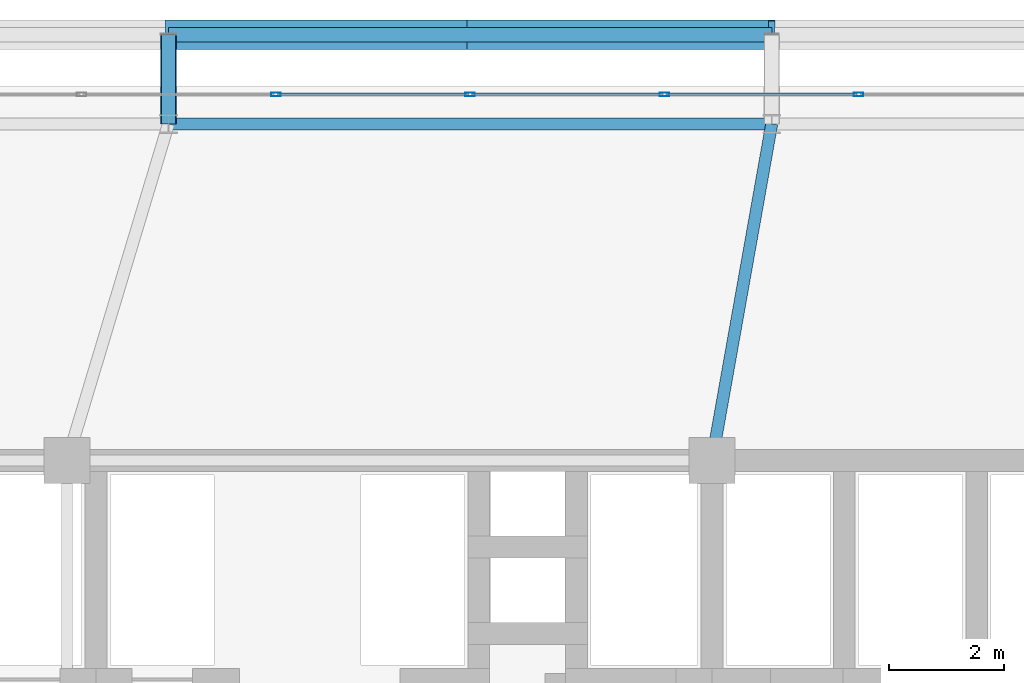
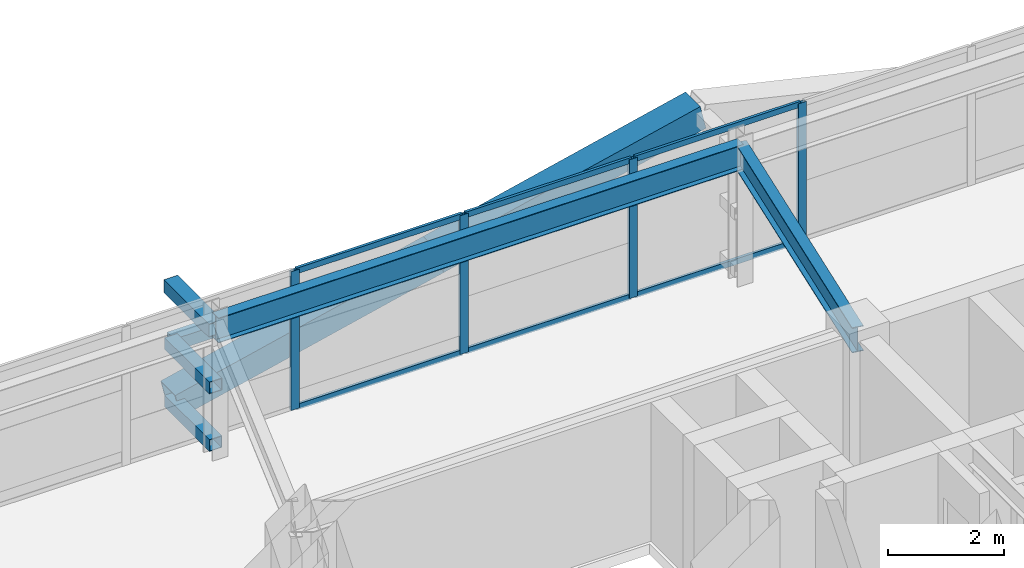
# One storey, part 37 of 59: 16 members, 2 beams, 1 element without a shape of its own.
"""IFC4 building model written with IfcOpenShell, lengths in metres."""

from ifc_helpers import new_model, si_unit, direction, frame, origin, origin_2d, place, context, subcontext, project, spatial, hollow_rectangle, i_section, extrude, source, transform, mapped, material, layer, layer_set, material_profile, profile_set, type_object, element, aggregate, save


model = new_model("IFC4")

# Units and contexts
model_context = context("Model", 3, precision=1e-05, world=origin(), true_north=direction((0.0, 1.0)))
body_context = subcontext(model_context, "Body", "Model", "MODEL_VIEW")
ifc_project = project(units=[si_unit("LENGTHUNIT", "METRE"), si_unit("AREAUNIT", "SQUARE_METRE"), si_unit("VOLUMEUNIT", "CUBIC_METRE"), si_unit("PLANEANGLEUNIT", "RADIAN"), si_unit("MASSUNIT", "GRAM", prefix="KILO")], contexts=[model_context])

# Site, building, storey
site_placement = place(None, origin())
site = spatial("IfcSite", under=ifc_project, at=site_placement, CompositionType="ELEMENT")
building_placement = place(site_placement, origin())
building = spatial("IfcBuilding", under=site, at=building_placement, Name="Taldren Reach Tower", CompositionType="ELEMENT")
storey_placement = place(building_placement, frame((0.0, 0.0, 48.300048828125)))
storey = spatial("IfcBuildingStorey", under=building, at=storey_placement, Name="L14", CompositionType="ELEMENT", Elevation=48.300048828125)

# Beams
ifc_material_1 = material(Name="Steel Gr 350 (350PLUS)", Category="steel")
ifc_material_profile_1 = material_profile(ifc_material_1, i_section(OverallWidth=0.208984375, OverallDepth=0.528076171875, WebThickness=0.009521484375, FlangeThickness=0.01318359375, at=origin_2d()), Name="530UB82.0")
ifc_profile_set_1 = profile_set([ifc_material_profile_1], Name="Steel Gr 350 (350PLUS)")
beam_type_1 = type_object("IfcBeamType", Name="SP-UB530B", PredefinedType="SPANDREL", material=ifc_profile_set_1)
shared_shape_1 = source(origin(), body_context, "Body", "SweptSolid", [
    extrude(i_section(OverallWidth=0.208984375, OverallDepth=0.528076171875, WebThickness=0.009521484375, FlangeThickness=0.01318359375, at=origin_2d()), origin(), (0.0, 0.0, 1.0), 10.47998046875),
])
beam_1_placement = place(storey_placement, frame((40.239990234375, 37.85009765625, 2.666015625), z_axis=(-1.0, 0.0, 0.0), x_axis=(0.0, -1.0, 0.0)))
element("IfcBeam", 1, at=beam_1_placement, inside=storey, type_object=beam_type_1, Name="Perimeter spandrel B1 N4-N3 L14", PredefinedType="SPANDREL", context=body_context, shape_type="MappedRepresentation", body=[
    mapped(shared_shape_1, transform((0.0, 0.0, 0.0), scale=1.0)),
])
ifc_material_profile_2 = material_profile(ifc_material_1, i_section(OverallWidth=0.208984375, OverallDepth=0.532958984375, WebThickness=0.01025390625, FlangeThickness=0.015625, at=origin_2d()), Name="530UB92.4")
ifc_profile_set_2 = profile_set([ifc_material_profile_2], Name="Steel Gr 350 (350PLUS)")
beam_type_2 = type_object("IfcBeamType", Name="BM-UB530A", PredefinedType="BEAM", material=ifc_profile_set_2)
shared_shape_2 = source(origin(), body_context, "Body", "SweptSolid", [
    extrude(i_section(OverallWidth=0.208984375, OverallDepth=0.532958984375, WebThickness=0.01025390625, FlangeThickness=0.015625, at=origin_2d()), origin(), (0.0, 0.0, 1.0), 5.94189453125),
])
beam_2_placement = place(storey_placement, frame((39.199951171875, 32.0, 2.663330078125), z_axis=(0.17503687513, 0.984561878373, 0.0), x_axis=(-0.984561878373, 0.17503687513, 0.0)))
element("IfcBeam", 2, at=beam_2_placement, inside=storey, type_object=beam_type_2, Name="Primary floor girder B1-N4 L14", PredefinedType="BEAM", context=body_context, shape_type="MappedRepresentation", body=[
    mapped(shared_shape_2, transform((0.0, 0.0, 0.0), scale=1.0)),
])

# Members
ifc_material_2 = material(Name="Steel Gr 450 (C450L0)", Category="steel")
ifc_material_profile_3 = material_profile(ifc_material_2, hollow_rectangle(XDim=0.27490234375, YDim=0.27490234375, WallThickness=0.00927734375, at=origin_2d()), Name="275x275x9.3SHS")
ifc_profile_set_3 = profile_set([ifc_material_profile_3], Name="Steel Gr 450 (C450L0)")
member_type_1 = type_object("IfcMemberType", Name="MB-TIE273", PredefinedType="STRUT", material=ifc_profile_set_3)
shared_shape_3 = source(origin(), body_context, "Body", "SweptSolid", [
    extrude(hollow_rectangle(XDim=0.27490234375, YDim=0.27490234375, WallThickness=0.00927734375, at=origin_2d()), origin(), (0.0, 0.0, 1.0), 1.5498046875),
])
member_1_placement = place(storey_placement, frame((29.760009765625, 37.85009765625, 2.64990234375), z_axis=(0.0, 1.0, 0.0), x_axis=(-1.0, 0.0, 0.0)))
element("IfcMember", 3, at=member_1_placement, inside=storey, type_object=member_type_1, Name="Exoskeleton diaphragm tie strut B1-N3 L14", PredefinedType="STRUT", context=body_context, shape_type="MappedRepresentation", body=[
    mapped(shared_shape_3, transform((0.0, 0.0, 0.0), scale=1.0)),
])
ifc_material_profile_4 = material_profile(ifc_material_2, hollow_rectangle(XDim=0.510009765625, YDim=0.510009765625, WallThickness=0.02001953125, at=origin_2d()), Name="510x510x20.0SHS")
ifc_profile_set_4 = profile_set([ifc_material_profile_4], Name="Steel Gr 450 (C450L0)")
member_type_2 = type_object("IfcMemberType", Name="MB-EXO508", PredefinedType="BRACE", material=ifc_profile_set_4)
shared_shape_4 = source(origin(), body_context, "Body", "SweptSolid", [
    extrude(hollow_rectangle(XDim=0.510009765625, YDim=0.510009765625, WallThickness=0.02001953125, at=origin_2d()), origin(), (0.0, 0.0, 1.0), 5.37890625),
])
for number, where, z_axis, x_axis, name in (
    (4, (29.760009765625, 39.39990234375, 0.219970703125), (0.97415197996, 0.0, 0.225893603143), (0.0, 1.0, 0.0), "Exoskeleton Diagrid Brace B1-N3 L14"),
    (5, (35.0, 39.39990234375, 1.43505859375), (0.974161966843, 0.0, 0.225850531007), (0.0, 1.0, 0.0), "Exoskeleton Diagrid Brace B1-N3 L14"),
):
    element("IfcMember", number, at=place(storey_placement, frame(where, z_axis=z_axis, x_axis=x_axis)), inside=storey, type_object=member_type_2, Name=name, PredefinedType="BRACE", context=body_context, shape_type="MappedRepresentation", body=[
        mapped(shared_shape_4, transform((0.0, 0.0, 0.0), scale=1.0)),
    ])
ifc_material_3 = material(Name="Steel Gr 350 (C350L0)", Category="steel")
ifc_material_profile_5 = material_profile(ifc_material_3, hollow_rectangle(XDim=0.25, YDim=0.25, WallThickness=0.010009765625, at=origin_2d()), Name="250x250x10.0SHS")
ifc_profile_set_5 = profile_set([ifc_material_profile_5], Name="Steel Gr 350 (C350L0)")
member_type_3 = type_object("IfcMemberType", Name="MB-POST250", PredefinedType="POST", material=ifc_profile_set_5)
shared_shape_5 = source(origin(), body_context, "Body", "SweptSolid", [
    extrude(hollow_rectangle(XDim=0.25, YDim=0.25, WallThickness=0.010009765625, at=origin_2d()), origin(), (0.0, 0.0, 1.0), 10.47998046875),
])
member_2_placement = place(storey_placement, frame((29.760009765625, 39.39990234375, 1.43505859375), z_axis=(1.0, 0.0, 0.0), x_axis=(0.0, 1.0, 0.0)))
element("IfcMember", 6, at=member_2_placement, inside=storey, type_object=member_type_3, Name="Exoskeleton mid-height ring chord B1-N3 L14", PredefinedType="POST", context=body_context, shape_type="MappedRepresentation", body=[
    mapped(shared_shape_5, transform((0.0, 0.0, 0.0), scale=1.0)),
])
shared_shape_6 = source(origin(), body_context, "Body", "SweptSolid", [
    extrude(hollow_rectangle(XDim=0.25, YDim=0.25, WallThickness=0.010009765625, at=origin_2d()), origin(), (0.0, 0.0, 1.0), 1.5498046875),
])
for number, where, z_axis, x_axis, name in (
    (7, (29.760009765625, 37.85009765625, 0.219970703125), (0.0, 1.0, 0.0), (-1.0, 0.0, 0.0), "Exoskeleton base diaphragm tie strut B1-N3 L14"),
    (8, (29.760009765625, 37.85009765625, 1.43505859375), (0.0, 1.0, 0.0), (-1.0, 0.0, 0.0), "Exoskeleton mid-tier diaphragm tie B1-N3 L14"),
):
    element("IfcMember", number, at=place(storey_placement, frame(where, z_axis=z_axis, x_axis=x_axis)), inside=storey, type_object=member_type_3, Name=name, PredefinedType="POST", context=body_context, shape_type="MappedRepresentation", body=[
        mapped(shared_shape_6, transform((0.0, 0.0, 0.0), scale=1.0)),
    ])

# Curtain wall, members
ifc_material_4 = material(Name="Aluminium and Low-E Glass Unitised System", Category="aluminium")
ifc_layer = layer(ifc_material_4, 0.159912109375)
ifc_layer_set = layer_set([ifc_layer], Name="Aluminium and Low-E Glass Unitised System")
curtain_wall_type = type_object("IfcCurtainWallType", Name="CW-SYS-2", PredefinedType="NOTDEFINED", material=ifc_layer_set)
curtain_wall_placement = place(storey_placement, origin())
curtain_wall = element("IfcCurtainWall", 9, at=curtain_wall_placement, inside=storey, type_object=curtain_wall_type, Name="Unitised curtain wall CW-L14-N", PredefinedType="NOTDEFINED")
ifc_material_5 = material(Name="Anodised Aluminium 6063-T6", Category="aluminium")
ifc_material_profile_6 = material_profile(ifc_material_5, hollow_rectangle(XDim=0.06494140625, YDim=0.1650390625, WallThickness=0.00390625, at=origin_2d()), Name="ALU-165x65x4RHS")
ifc_profile_set_6 = profile_set([ifc_material_profile_6], Name="Anodised Aluminium 6063-T6")
member_type_4 = type_object("IfcMemberType", Name="CW-MUL-165", PredefinedType="MULLION", material=ifc_profile_set_6)
shared_shape_7 = source(origin(), body_context, "Body", "SweptSolid", [
    extrude(hollow_rectangle(XDim=0.06494140625, YDim=0.1650390625, WallThickness=0.00390625, at=origin_2d()), origin(), (0.0, 0.0, 1.0), 2.929931640625),
])
member_3_placement = place(storey_placement, frame((41.75, 38.360107421875, 0.0), z_axis=(0.0, 0.0, 1.0), x_axis=(0.0, -1.0, 0.0)))
member_3 = element("IfcMember", 10, at=member_3_placement, type_object=member_type_4, Name="CW-2 mullion 7", PredefinedType="MULLION", context=body_context, shape_type="MappedRepresentation", body=[
    mapped(shared_shape_7, transform((0.0, 0.0, 0.0), scale=1.0)),
])
member_4_placement = place(storey_placement, frame((38.375, 38.360107421875, 0.0), z_axis=(0.0, 0.0, 1.0), x_axis=(0.0, -1.0, 0.0)))
member_4 = element("IfcMember", 11, at=member_4_placement, type_object=member_type_4, Name="CW-2 mullion 8", PredefinedType="MULLION", context=body_context, shape_type="MappedRepresentation", body=[
    mapped(shared_shape_7, transform((0.0, 0.0, 0.0), scale=1.0)),
])
member_5_placement = place(storey_placement, frame((35.0, 38.360107421875, 0.0), z_axis=(0.0, 0.0, 1.0), x_axis=(0.0, -1.0, 0.0)))
member_5 = element("IfcMember", 12, at=member_5_placement, type_object=member_type_4, Name="CW-2 mullion 9", PredefinedType="MULLION", context=body_context, shape_type="MappedRepresentation", body=[
    mapped(shared_shape_7, transform((0.0, 0.0, 0.0), scale=1.0)),
])
member_6_placement = place(storey_placement, frame((31.625, 38.360107421875, 0.0), z_axis=(0.0, 0.0, 1.0), x_axis=(0.0, -1.0, 0.0)))
member_6 = element("IfcMember", 13, at=member_6_placement, type_object=member_type_4, Name="CW-2 mullion 10", PredefinedType="MULLION", context=body_context, shape_type="MappedRepresentation", body=[
    mapped(shared_shape_7, transform((0.0, 0.0, 0.0), scale=1.0)),
])
ifc_material_profile_7 = material_profile(ifc_material_5, hollow_rectangle(XDim=0.054931640625, YDim=0.1201171875, WallThickness=0.0029296875, at=origin_2d()), Name="ALU-120x55x3RHS")
ifc_profile_set_7 = profile_set([ifc_material_profile_7], Name="Anodised Aluminium 6063-T6")
member_type_5 = type_object("IfcMemberType", Name="CW-TRN-135", PredefinedType="USERDEFINED", material=ifc_profile_set_7)
shared_shape_8 = source(origin(), body_context, "Body", "SweptSolid", [
    extrude(hollow_rectangle(XDim=0.054931640625, YDim=0.1201171875, WallThickness=0.0029296875, at=origin_2d()), origin(), (0.0, 0.0, 1.0), 3.31005859375),
])
member_7_placement = place(storey_placement, frame((41.717529296875, 38.360107421875, 0.02734375), z_axis=(-1.0, 0.0, 0.0), x_axis=(0.0, -1.0, 0.0)))
member_7 = element("IfcMember", 14, at=member_7_placement, type_object=member_type_5, Name="CW-2 transom 7.1", ObjectType="TRANSOM", PredefinedType="USERDEFINED", context=body_context, shape_type="MappedRepresentation", body=[
    mapped(shared_shape_8, transform((0.0, 0.0, 0.0), scale=1.0)),
])
member_8_placement = place(storey_placement, frame((41.717529296875, 38.360107421875, 2.90234375), z_axis=(-1.0, 0.0, 0.0), x_axis=(0.0, -1.0, 0.0)))
member_8 = element("IfcMember", 15, at=member_8_placement, type_object=member_type_5, Name="CW-2 transom 7.2", ObjectType="TRANSOM", PredefinedType="USERDEFINED", context=body_context, shape_type="MappedRepresentation", body=[
    mapped(shared_shape_8, transform((0.0, 0.0, 0.0), scale=1.0)),
])
member_9_placement = place(storey_placement, frame((38.342529296875, 38.360107421875, 0.02734375), z_axis=(-1.0, 0.0, 0.0), x_axis=(0.0, -1.0, 0.0)))
member_9 = element("IfcMember", 16, at=member_9_placement, type_object=member_type_5, Name="CW-2 transom 8.1", ObjectType="TRANSOM", PredefinedType="USERDEFINED", context=body_context, shape_type="MappedRepresentation", body=[
    mapped(shared_shape_8, transform((0.0, 0.0, 0.0), scale=1.0)),
])
member_10_placement = place(storey_placement, frame((38.342529296875, 38.360107421875, 2.90234375), z_axis=(-1.0, 0.0, 0.0), x_axis=(0.0, -1.0, 0.0)))
member_10 = element("IfcMember", 17, at=member_10_placement, type_object=member_type_5, Name="CW-2 transom 8.2", ObjectType="TRANSOM", PredefinedType="USERDEFINED", context=body_context, shape_type="MappedRepresentation", body=[
    mapped(shared_shape_8, transform((0.0, 0.0, 0.0), scale=1.0)),
])
member_11_placement = place(storey_placement, frame((34.967529296875, 38.360107421875, 0.02734375), z_axis=(-1.0, 0.0, 0.0), x_axis=(0.0, -1.0, 0.0)))
member_11 = element("IfcMember", 18, at=member_11_placement, type_object=member_type_5, Name="CW-2 transom 9.1", ObjectType="TRANSOM", PredefinedType="USERDEFINED", context=body_context, shape_type="MappedRepresentation", body=[
    mapped(shared_shape_8, transform((0.0, 0.0, 0.0), scale=1.0)),
])
member_12_placement = place(storey_placement, frame((34.967529296875, 38.360107421875, 2.90234375), z_axis=(-1.0, 0.0, 0.0), x_axis=(0.0, -1.0, 0.0)))
member_12 = element("IfcMember", 19, at=member_12_placement, type_object=member_type_5, Name="CW-2 transom 9.2", ObjectType="TRANSOM", PredefinedType="USERDEFINED", context=body_context, shape_type="MappedRepresentation", body=[
    mapped(shared_shape_8, transform((0.0, 0.0, 0.0), scale=1.0)),
])
aggregate(curtain_wall, [member_3, member_4, member_5, member_6, member_7, member_8, member_9, member_10, member_11, member_12])

save(model, "model.ifc")
